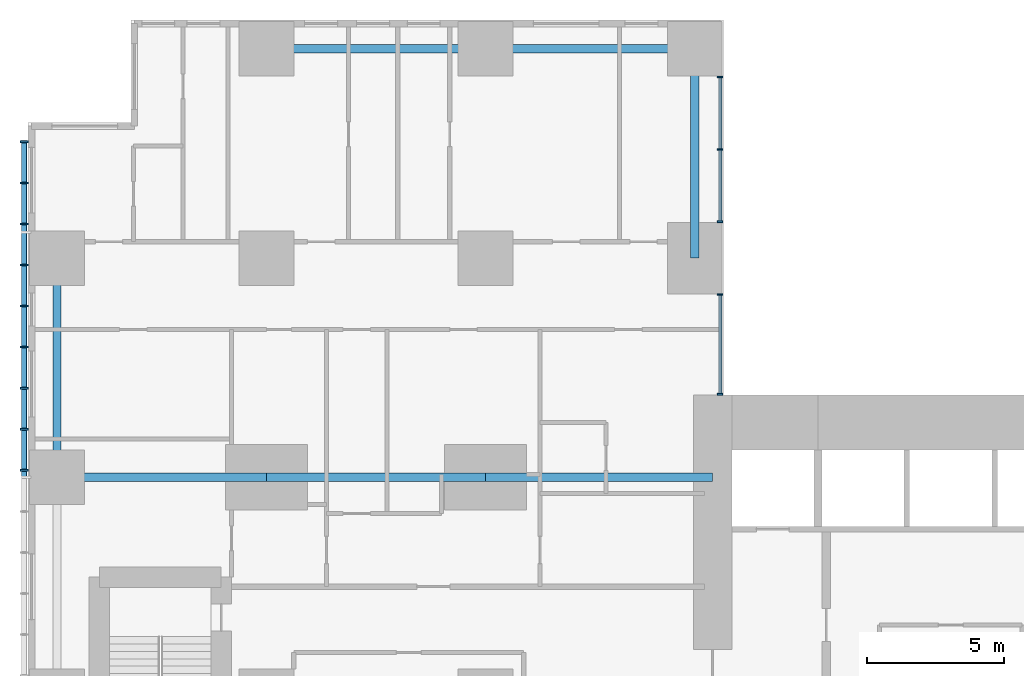
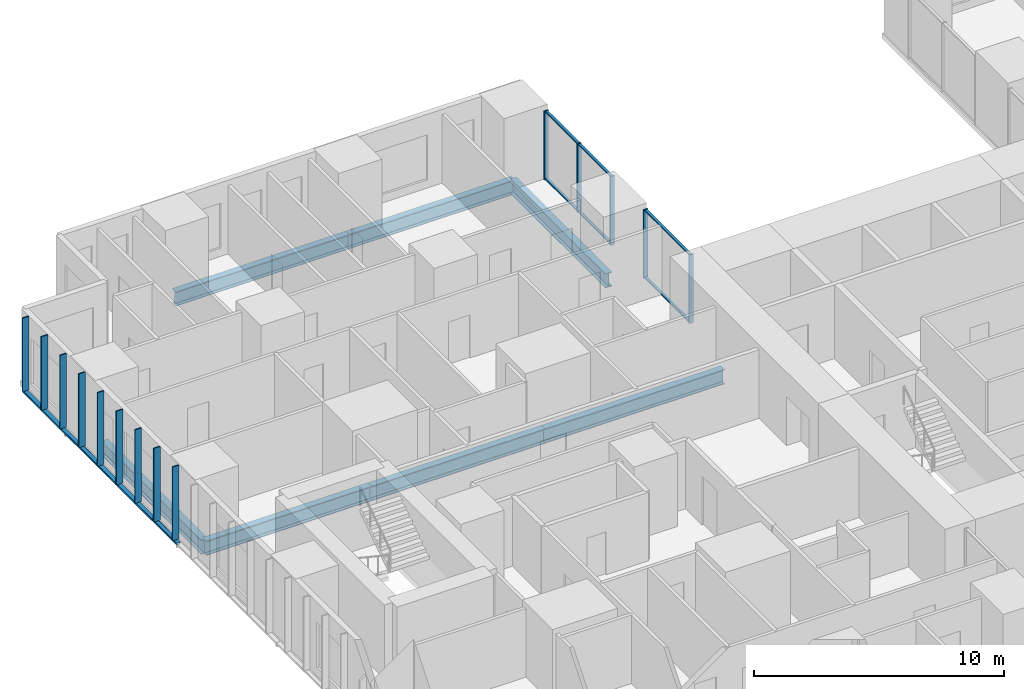
# One storey, part 4 of 20: 21 members, 7 beams, 2 elements without a shape of their own.
"""IFC4 building model written with IfcOpenShell, lengths in metres."""

from ifc_helpers import new_model, si_unit, direction, frame, origin, origin_2d, place, context, subcontext, project, spatial, rectangle, hollow_rectangle, i_section, extrude, material, layer, layer_set, material_profile, profile_set, type_object, element, aggregate, save


model = new_model("IFC4")

# Units and contexts
model_context = context("Model", 3, precision=1e-05, world=origin(), true_north=direction((0.0, 1.0)))
body_context = subcontext(model_context, "Body", "Model", "MODEL_VIEW")
ifc_project = project(units=[si_unit("LENGTHUNIT", "METRE"), si_unit("AREAUNIT", "SQUARE_METRE"), si_unit("VOLUMEUNIT", "CUBIC_METRE"), si_unit("PLANEANGLEUNIT", "RADIAN"), si_unit("MASSUNIT", "GRAM", prefix="KILO")], contexts=[model_context])

# Site, building, storey
site_placement = place(None, origin())
site = spatial("IfcSite", under=ifc_project, at=site_placement, CompositionType="ELEMENT")
building_placement = place(site_placement, origin())
building = spatial("IfcBuilding", under=site, at=building_placement, Name="Cleftline Residences", CompositionType="ELEMENT")
storey_placement = place(building_placement, frame((0.0, 0.0, 117.800048828125)))
storey = spatial("IfcBuildingStorey", under=building, at=storey_placement, Name="L30", CompositionType="ELEMENT", Elevation=117.800048828125)

# Member
ifc_material_1 = material(Name="Steel S355, hot-dip galvanised", Category="steel")
ifc_material_profile_1 = material_profile(ifc_material_1, hollow_rectangle(XDim=0.10009765625, YDim=0.199951171875, WallThickness=0.008056640625, InnerFilletRadius=0.008056640625, OuterFilletRadius=0.011962890625, at=origin_2d()))
ifc_profile_set_1 = profile_set([ifc_material_profile_1], Name="Steel S355, hot-dip galvanised")
member_type_1 = type_object("IfcMemberType", Name="BAGUETTE CARRIER RHS 200X100X8", PredefinedType="USERDEFINED", material=ifc_profile_set_1)
member_1_placement = place(storey_placement, frame((-0.85009765625, 44.300048828125, -0.050048828125), z_axis=(0.0, -1.0, 0.0), x_axis=(0.0, 0.0, 1.0)))
element("IfcMember", 1, at=member_1_placement, inside=storey, type_object=member_type_1, Name="Baguette carrier", ObjectType="BAGUETTE CARRIER", PredefinedType="USERDEFINED", context=body_context, shape_type="SweptSolid", body=[
    extrude(hollow_rectangle(XDim=0.10009765625, YDim=0.199951171875, WallThickness=0.008056640625, InnerFilletRadius=0.008056640625, OuterFilletRadius=0.011962890625, at=origin_2d()), origin(), (0.0, 0.0, 1.0), 12.300048828125),
])

# Beams
ifc_material_2 = material(Name="Steel S355", Category="steel")
ifc_material_profile_2 = material_profile(ifc_material_2, i_section(OverallWidth=0.300048828125, OverallDepth=0.699951171875, WebThickness=0.01708984375, FlangeThickness=0.031982421875, FilletRadius=0.027099609375, at=origin_2d()))
ifc_profile_set_2 = profile_set([ifc_material_profile_2], Name="Steel S355")
beam_type_1 = type_object("IfcBeamType", Name="BEAM HEB 700", PredefinedType="BEAM", material=ifc_profile_set_2)
for number, where, z_axis, x_axis, name in (
    (2, (0.35009765625, 32.0, -0.60009765625), (0.0, 1.0, 0.0), (-1.0, 0.0, 0.0), "Edge beam"),
    (3, (8.0, 47.64990234375, -0.60009765625), (1.0, 0.0, 0.0), (0.0, 1.0, 0.0), "Edge beam"),
):
    element("IfcBeam", number, at=place(storey_placement, frame(where, z_axis=z_axis, x_axis=x_axis)), inside=storey, type_object=beam_type_1, Name=name, PredefinedType="BEAM", context=body_context, shape_type="SweptSolid", body=[
        extrude(i_section(OverallWidth=0.300048828125, OverallDepth=0.699951171875, WebThickness=0.01708984375, FlangeThickness=0.031982421875, FilletRadius=0.027099609375, at=origin_2d()), origin(), (0.0, 0.0, 1.0), 8.0),
    ])
for number, where, z_axis, x_axis, name in (
    (4, (16.0, 47.64990234375, -0.60009765625), (1.0, 0.0, 0.0), (0.0, 1.0, 0.0), "Edge beam"),
    (5, (23.64990234375, 47.64990234375, -0.60009765625), (0.0, -1.0, 0.0), (1.0, 0.0, 0.0), "Edge beam"),
):
    element("IfcBeam", number, at=place(storey_placement, frame(where, z_axis=z_axis, x_axis=x_axis)), inside=storey, type_object=beam_type_1, Name=name, PredefinedType="BEAM", context=body_context, shape_type="SweptSolid", body=[
        extrude(i_section(OverallWidth=0.300048828125, OverallDepth=0.699951171875, WebThickness=0.01708984375, FlangeThickness=0.031982421875, FilletRadius=0.027099609375, at=origin_2d()), origin(), (0.0, 0.0, 1.0), 7.64990234375),
    ])
ifc_material_3 = material(Name="Steel S355", Category="steel")
ifc_material_profile_3 = material_profile(ifc_material_3, i_section(OverallWidth=0.303955078125, OverallDepth=0.716064453125, WebThickness=0.02099609375, FlangeThickness=0.0400390625, FilletRadius=0.027099609375, at=origin_2d()))
ifc_profile_set_3 = profile_set([ifc_material_profile_3], Name="Steel S355")
beam_type_2 = type_object("IfcBeamType", Name="BEAM HEM 700", PredefinedType="BEAM", material=ifc_profile_set_3)
beam_1_placement = place(storey_placement, frame((0.35009765625, 32.0, -0.608154296875), z_axis=(1.0, 0.0, 0.0), x_axis=(0.0, 1.0, 0.0)))
element("IfcBeam", 6, at=beam_1_placement, inside=storey, type_object=beam_type_2, Name="Band beam", PredefinedType="BEAM", context=body_context, shape_type="SweptSolid", body=[
    extrude(i_section(OverallWidth=0.303955078125, OverallDepth=0.716064453125, WebThickness=0.02099609375, FlangeThickness=0.0400390625, FilletRadius=0.027099609375, at=origin_2d()), origin(), (0.0, 0.0, 1.0), 7.64990234375),
])
beam_2_placement = place(storey_placement, frame((8.0, 32.0, -0.608154296875), z_axis=(1.0, 0.0, 0.0), x_axis=(0.0, 1.0, 0.0)))
element("IfcBeam", 7, at=beam_2_placement, inside=storey, type_object=beam_type_2, Name="Band beam", PredefinedType="BEAM", context=body_context, shape_type="SweptSolid", body=[
    extrude(i_section(OverallWidth=0.303955078125, OverallDepth=0.716064453125, WebThickness=0.02099609375, FlangeThickness=0.0400390625, FilletRadius=0.027099609375, at=origin_2d()), origin(), (0.0, 0.0, 1.0), 8.0),
])
beam_3_placement = place(storey_placement, frame((16.0, 32.0, -0.608154296875), z_axis=(1.0, 0.0, 0.0), x_axis=(0.0, 1.0, 0.0)))
element("IfcBeam", 8, at=beam_3_placement, inside=storey, type_object=beam_type_2, Name="Band beam", PredefinedType="BEAM", context=body_context, shape_type="SweptSolid", body=[
    extrude(i_section(OverallWidth=0.303955078125, OverallDepth=0.716064453125, WebThickness=0.02099609375, FlangeThickness=0.0400390625, FilletRadius=0.027099609375, at=origin_2d()), origin(), (0.0, 0.0, 1.0), 8.300048828125),
])

# Curtain wall, members
ifc_material_4 = material(Name="Aluminium framed curtain wall", Category="aluminium")
ifc_layer = layer(ifc_material_4, 0.199951171875)
ifc_layer_set = layer_set([ifc_layer], Name="CW1 CLEFT GLAZING")
curtain_wall_type = type_object("IfcCurtainWallType", Name="CW1 CLEFT GLAZING", PredefinedType="NOTDEFINED", material=ifc_layer_set)
curtain_wall_1_placement = place(storey_placement, origin())
curtain_wall_1 = element("IfcCurtainWall", 9, at=curtain_wall_1_placement, inside=storey, type_object=curtain_wall_type, Name="Curtain wall CW1", PredefinedType="NOTDEFINED")
ifc_material_5 = material(Name="Aluminium mullion", Category="aluminium")
ifc_material_profile_4 = material_profile(ifc_material_5, rectangle(XDim=0.199951171875, YDim=0.06005859375, at=origin_2d()))
ifc_profile_set_4 = profile_set([ifc_material_profile_4], Name="Aluminium mullion")
member_type_2 = type_object("IfcMemberType", Name="CW1 MULLION", PredefinedType="MULLION", material=ifc_profile_set_4)
member_2_placement = place(storey_placement, frame((24.574951171875, 35.030029296875, 0.0), z_axis=(0.0, 0.0, 1.0), x_axis=(-1.0, 0.0, 0.0)))
member_2 = element("IfcMember", 10, at=member_2_placement, type_object=member_type_2, Name="CW1 mullion 1", PredefinedType="MULLION", context=body_context, shape_type="SweptSolid", body=[
    extrude(rectangle(XDim=0.199951171875, YDim=0.06005859375, at=origin_2d()), origin(), (0.0, 0.0, 1.0), 3.349853515625),
])
member_3_placement = place(storey_placement, frame((24.574951171875, 38.669921875, 0.0), z_axis=(0.0, 0.0, 1.0), x_axis=(-1.0, 0.0, 0.0)))
member_3 = element("IfcMember", 11, at=member_3_placement, type_object=member_type_2, Name="CW1 mullion 2", PredefinedType="MULLION", context=body_context, shape_type="SweptSolid", body=[
    extrude(rectangle(XDim=0.199951171875, YDim=0.06005859375, at=origin_2d()), origin(), (0.0, 0.0, 1.0), 3.349853515625),
])

curtain_wall_2_placement = place(storey_placement, origin())
curtain_wall_2 = element("IfcCurtainWall", 12, at=curtain_wall_2_placement, inside=storey, type_object=curtain_wall_type, Name="Curtain wall CW1", PredefinedType="NOTDEFINED")
member_4_placement = place(storey_placement, frame((24.574951171875, 41.330078125, 0.0), z_axis=(0.0, 0.0, 1.0), x_axis=(-1.0, 0.0, 0.0)))
member_4 = element("IfcMember", 13, at=member_4_placement, type_object=member_type_2, Name="CW1 mullion 1", PredefinedType="MULLION", context=body_context, shape_type="SweptSolid", body=[
    extrude(rectangle(XDim=0.199951171875, YDim=0.06005859375, at=origin_2d()), origin(), (0.0, 0.0, 1.0), 3.349853515625),
])
member_5_placement = place(storey_placement, frame((24.574951171875, 43.97509765625, 0.0), z_axis=(0.0, 0.0, 1.0), x_axis=(-1.0, 0.0, 0.0)))
member_5 = element("IfcMember", 14, at=member_5_placement, type_object=member_type_2, Name="CW1 mullion 2", PredefinedType="MULLION", context=body_context, shape_type="SweptSolid", body=[
    extrude(rectangle(XDim=0.199951171875, YDim=0.06005859375, at=origin_2d()), origin(), (0.0, 0.0, 1.0), 3.349853515625),
])
member_6_placement = place(storey_placement, frame((24.574951171875, 46.6201171875, 0.0), z_axis=(0.0, 0.0, 1.0), x_axis=(-1.0, 0.0, 0.0)))
member_6 = element("IfcMember", 15, at=member_6_placement, type_object=member_type_2, Name="CW1 mullion 3", PredefinedType="MULLION", context=body_context, shape_type="SweptSolid", body=[
    extrude(rectangle(XDim=0.199951171875, YDim=0.06005859375, at=origin_2d()), origin(), (0.0, 0.0, 1.0), 3.349853515625),
])

# Member
ifc_material_6 = material(Name="Aluminium transom", Category="aluminium")
ifc_material_profile_5 = material_profile(ifc_material_6, rectangle(XDim=0.1201171875, YDim=0.06005859375, at=origin_2d()))
ifc_profile_set_5 = profile_set([ifc_material_profile_5], Name="Aluminium transom")
member_type_3 = type_object("IfcMemberType", Name="CW1 TRANSOM", PredefinedType="USERDEFINED", material=ifc_profile_set_5)
member_7_placement = place(storey_placement, frame((24.574951171875, 35.06005859375, 0.030029296875), z_axis=(0.0, 1.0, 0.0), x_axis=(-1.0, 0.0, 0.0)))
member_7 = element("IfcMember", 16, at=member_7_placement, type_object=member_type_3, Name="CW1 transom 1.1", ObjectType="TRANSOM", PredefinedType="USERDEFINED", context=body_context, shape_type="SweptSolid", body=[
    extrude(rectangle(XDim=0.1201171875, YDim=0.06005859375, at=origin_2d()), origin(), (0.0, 0.0, 1.0), 3.579833984375),
])

member_8_placement = place(storey_placement, frame((24.574951171875, 35.06005859375, 3.320068359375), z_axis=(0.0, 1.0, 0.0), x_axis=(-1.0, 0.0, 0.0)))
member_8 = element("IfcMember", 17, at=member_8_placement, type_object=member_type_3, Name="CW1 transom 1.2", ObjectType="TRANSOM", PredefinedType="USERDEFINED", context=body_context, shape_type="SweptSolid", body=[
    extrude(rectangle(XDim=0.1201171875, YDim=0.06005859375, at=origin_2d()), origin(), (0.0, 0.0, 1.0), 3.579833984375),
])

aggregate(curtain_wall_1, [member_2, member_3, member_7, member_8])

member_9_placement = place(storey_placement, frame((24.574951171875, 41.360107421875, 0.030029296875), z_axis=(0.0, 1.0, 0.0), x_axis=(-1.0, 0.0, 0.0)))
member_9 = element("IfcMember", 18, at=member_9_placement, type_object=member_type_3, Name="CW1 transom 1.1", ObjectType="TRANSOM", PredefinedType="USERDEFINED", context=body_context, shape_type="SweptSolid", body=[
    extrude(rectangle(XDim=0.1201171875, YDim=0.06005859375, at=origin_2d()), origin(), (0.0, 0.0, 1.0), 2.5849609375),
])

member_10_placement = place(storey_placement, frame((24.574951171875, 41.360107421875, 3.320068359375), z_axis=(0.0, 1.0, 0.0), x_axis=(-1.0, 0.0, 0.0)))
member_10 = element("IfcMember", 19, at=member_10_placement, type_object=member_type_3, Name="CW1 transom 1.2", ObjectType="TRANSOM", PredefinedType="USERDEFINED", context=body_context, shape_type="SweptSolid", body=[
    extrude(rectangle(XDim=0.1201171875, YDim=0.06005859375, at=origin_2d()), origin(), (0.0, 0.0, 1.0), 2.5849609375),
])

member_11_placement = place(storey_placement, frame((24.574951171875, 44.0048828125, 0.030029296875), z_axis=(0.0, 1.0, 0.0), x_axis=(-1.0, 0.0, 0.0)))
member_11 = element("IfcMember", 20, at=member_11_placement, type_object=member_type_3, Name="CW1 transom 2.1", ObjectType="TRANSOM", PredefinedType="USERDEFINED", context=body_context, shape_type="SweptSolid", body=[
    extrude(rectangle(XDim=0.1201171875, YDim=0.06005859375, at=origin_2d()), origin(), (0.0, 0.0, 1.0), 2.585205078125),
])

member_12_placement = place(storey_placement, frame((24.574951171875, 44.0048828125, 3.320068359375), z_axis=(0.0, 1.0, 0.0), x_axis=(-1.0, 0.0, 0.0)))
member_12 = element("IfcMember", 21, at=member_12_placement, type_object=member_type_3, Name="CW1 transom 2.2", ObjectType="TRANSOM", PredefinedType="USERDEFINED", context=body_context, shape_type="SweptSolid", body=[
    extrude(rectangle(XDim=0.1201171875, YDim=0.06005859375, at=origin_2d()), origin(), (0.0, 0.0, 1.0), 2.585205078125),
])

aggregate(curtain_wall_2, [member_4, member_5, member_6, member_9, member_10, member_11, member_12])

# Members
ifc_material_7 = material(Name="Extruded terracotta", Category="masonry")
ifc_material_profile_6 = material_profile(ifc_material_7, rectangle(XDim=0.06005859375, YDim=0.300048828125, at=origin_2d()))
ifc_profile_set_6 = profile_set([ifc_material_profile_6], Name="Extruded terracotta")
member_type_4 = type_object("IfcMemberType", Name="TERRACOTTA BAGUETTE 60X300", PredefinedType="USERDEFINED", material=ifc_profile_set_6)
for number, where, z_axis, x_axis, name in (
    (22, (-0.85009765625, 44.25, 0.0), (0.0, 0.0, 1.0), (0.0, 1.0, 0.0), "Terracotta baguette"),
    (23, (-0.85009765625, 42.75, 0.0), (0.0, 0.0, 1.0), (0.0, 1.0, 0.0), "Terracotta baguette"),
    (24, (-0.85009765625, 41.25, 0.0), (0.0, 0.0, 1.0), (0.0, 1.0, 0.0), "Terracotta baguette"),
    (25, (-0.85009765625, 39.75, 0.0), (0.0, 0.0, 1.0), (0.0, 1.0, 0.0), "Terracotta baguette"),
    (26, (-0.85009765625, 38.25, 0.0), (0.0, 0.0, 1.0), (0.0, 1.0, 0.0), "Terracotta baguette"),
    (27, (-0.85009765625, 36.75, 0.0), (0.0, 0.0, 1.0), (0.0, 1.0, 0.0), "Terracotta baguette"),
    (28, (-0.85009765625, 35.25, 0.0), (0.0, 0.0, 1.0), (0.0, 1.0, 0.0), "Terracotta baguette"),
    (29, (-0.85009765625, 33.75, 0.0), (0.0, 0.0, 1.0), (0.0, 1.0, 0.0), "Terracotta baguette"),
    (30, (-0.85009765625, 32.25, 0.0), (0.0, 0.0, 1.0), (0.0, 1.0, 0.0), "Terracotta baguette"),
):
    element("IfcMember", number, at=place(storey_placement, frame(where, z_axis=z_axis, x_axis=x_axis)), inside=storey, type_object=member_type_4, Name=name, ObjectType="BAGUETTE", PredefinedType="USERDEFINED", context=body_context, shape_type="SweptSolid", body=[
        extrude(rectangle(XDim=0.06005859375, YDim=0.300048828125, at=origin_2d()), origin(), (0.0, 0.0, 1.0), 3.599853515625),
    ])

save(model, "model.ifc")
